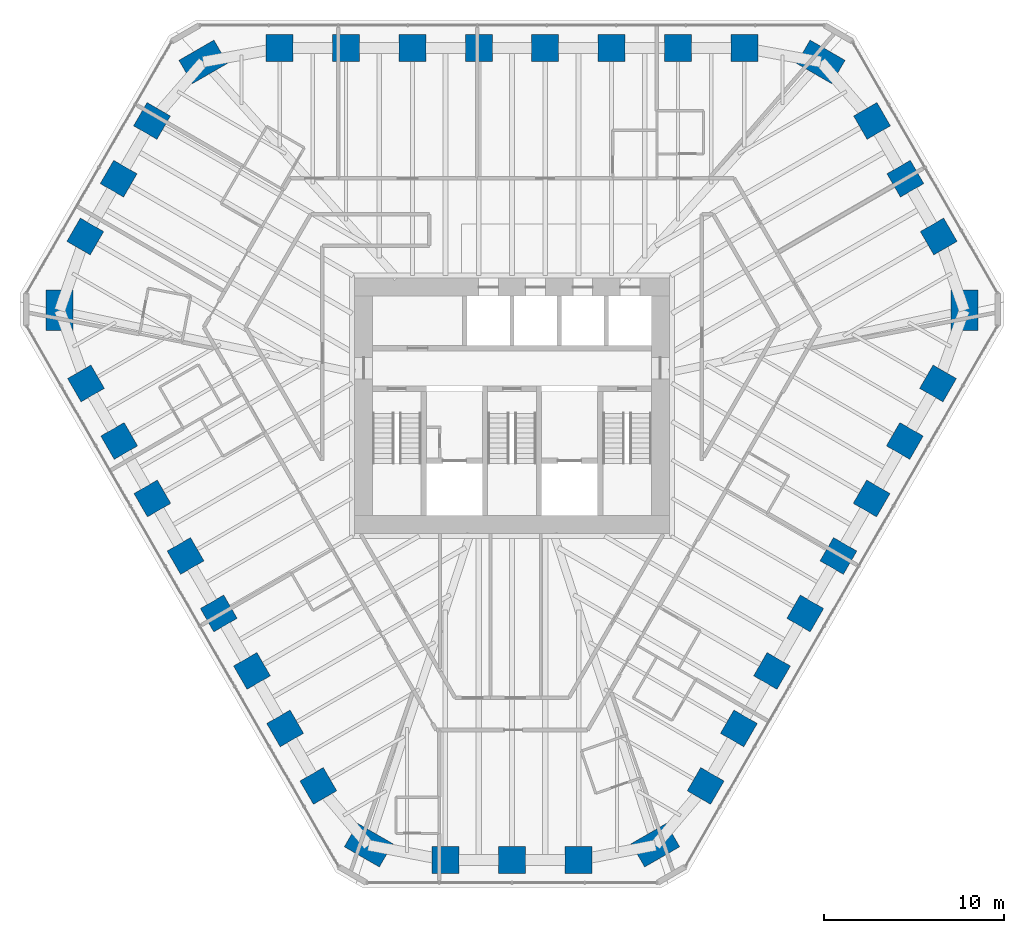
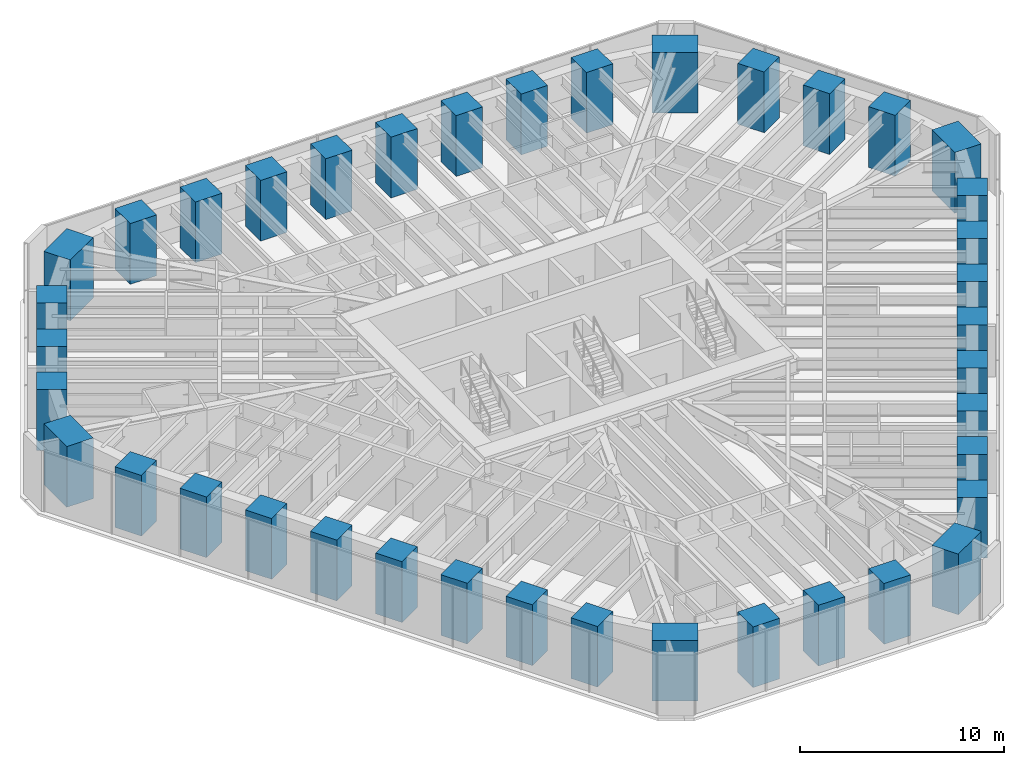
# One storey, part 1 of 16: 39 columns.
"""IFC4 building model written with IfcOpenShell, lengths in metres."""

import ifcopenshell
import ifcopenshell.guid

model = None  # the IFC model being written
_history = None  # IfcOwnerHistory: only IFC2X3 demands one
_inside = {}  # id of a spatial element -> (the spatial element, [elements in it])
_under = {}  # id of a project, library or spatial element -> (it, [spatial elements below it])
_declared = {}  # id of a project -> (the project, [libraries it declares])
_typed = {}  # id of a type object -> (the type object, [elements of that type])
_made_of = {}  # id of a material, layer set ... -> (it, [elements and type objects made of it])


def new_model(schema):
    """Start an empty IFC model of exactly this schema.

    Asked for "IFC4X3", IfcOpenShell would pick the latest addendum, in which some entities
    have other attributes; the version numbers below select the first issue.
    IFC2X3 requires an IfcOwnerHistory on every rooted entity: one is made here for all.
    """
    global model, _history
    if schema == "IFC4X3":
        model = ifcopenshell.file(schema_version=(4, 3, 0, 0))
    else:
        model = ifcopenshell.file(schema=schema)
    _inside.clear()
    _under.clear()
    _declared.clear()
    _typed.clear()
    _made_of.clear()
    _history = None
    if model.schema == "IFC2X3":
        org = make("IfcOrganization", Name="unknown")
        user = make(
            "IfcPersonAndOrganization",
            ThePerson=make("IfcPerson", FamilyName="unknown"),
            TheOrganization=org,
        )
        app = make(
            "IfcApplication",
            ApplicationDeveloper=org,
            Version="unknown",
            ApplicationFullName="unknown",
            ApplicationIdentifier="unknown",
        )
        _history = make(
            "IfcOwnerHistory",
            OwningUser=user,
            OwningApplication=app,
            ChangeAction="ADDED",
            CreationDate=0,
        )
    return model


def make(cls, **values):
    """One entity of the class cls with the attributes given. An attribute that is None is left unset."""
    return model.create_entity(
        cls, **{name: value for name, value in values.items() if value is not None}
    )


def rooted(cls, **values):
    """An entity with a GlobalId (a new one), such as an element, a storey or a relation."""
    return make(cls, GlobalId=ifcopenshell.guid.new(), OwnerHistory=_history, **values)


def si_unit(unit_type, name, prefix=None):
    """IfcSIUnit, for example si_unit("LENGTHUNIT", "METRE", prefix="MILLI")."""
    return make("IfcSIUnit", UnitType=unit_type, Prefix=prefix, Name=name)


def assignment(units):
    """IfcUnitAssignment: the units of a project."""
    return None if units is None else make("IfcUnitAssignment", Units=units)


def point(xyz):
    """IfcCartesianPoint."""
    return None if xyz is None else make("IfcCartesianPoint", Coordinates=xyz)


def direction(xyz):
    """IfcDirection."""
    return None if xyz is None else make("IfcDirection", DirectionRatios=xyz)


def frame(location, z_axis=None, x_axis=None):
    """IfcAxis2Placement3D, a coordinate frame: its origin and axes. An axis left out is left unset."""
    return make(
        "IfcAxis2Placement3D",
        Location=point(location),
        Axis=direction(z_axis),
        RefDirection=direction(x_axis),
    )


def frame_2d(location, x_axis=None):
    """IfcAxis2Placement2D, a coordinate frame in the plane: its origin and x axis."""
    return make(
        "IfcAxis2Placement2D", Location=point(location), RefDirection=direction(x_axis)
    )


def origin():
    """The frame at (0, 0, 0) with its axes left unset."""
    return frame((0.0, 0.0, 0.0))


def origin_2d():
    """The frame at (0, 0) in the plane with its x axis left unset."""
    return frame_2d((0.0, 0.0))


def place(relative_to, where):
    """IfcLocalPlacement: puts the frame where relative to a parent placement (None: the world)."""
    return make(
        "IfcLocalPlacement", PlacementRelTo=relative_to, RelativePlacement=where
    )


def context(
    kind, dimensions, precision=None, world=None, true_north=None, identifier=None
):
    """IfcGeometricRepresentationContext, for example the 3D "Model" context."""
    return make(
        "IfcGeometricRepresentationContext",
        ContextIdentifier=identifier,
        ContextType=kind,
        CoordinateSpaceDimension=dimensions,
        Precision=precision,
        WorldCoordinateSystem=world,
        TrueNorth=true_north,
    )


def subcontext(parent, identifier, kind, view, scale=None):
    """IfcGeometricRepresentationSubContext, for example "Body" below "Model"."""
    return make(
        "IfcGeometricRepresentationSubContext",
        ContextIdentifier=identifier,
        ContextType=kind,
        ParentContext=parent,
        TargetScale=scale,
        TargetView=view,
    )


def project(units=None, contexts=None):
    """IfcProject with its units and contexts."""
    return rooted(
        "IfcProject",
        Name="project",
        RepresentationContexts=contexts,
        UnitsInContext=assignment(units),
    )


def spatial(cls, under=None, at=None, **own):
    """A site, building, storey or space (cls), placed at a placement, below another one or the project."""
    s = rooted(cls, ObjectPlacement=at, **own)
    if under is not None:
        _under.setdefault(under.id(), (under, []))[1].append(s)
    return s


def profile(cls, at=None, kind="AREA", **sizes):
    """A parametric profile (cls). Its sizes go by their IFC names, for example OverallWidth=200.0."""
    return make(cls, ProfileType=kind, Position=at, **sizes)


def rectangle(**sizes):
    """IfcRectangleProfileDef."""
    return profile("IfcRectangleProfileDef", **sizes)


def extrude(swept, where, along, depth):
    """IfcExtrudedAreaSolid: the profile swept, set in the frame where, extruded along a direction by depth."""
    return make(
        "IfcExtrudedAreaSolid",
        SweptArea=swept,
        Position=where,
        ExtrudedDirection=direction(along),
        Depth=depth,
    )


def clip(a, b, op="DIFFERENCE"):
    """IfcBooleanClippingResult: the solid a cut by the half space b."""
    return make(
        "IfcBooleanClippingResult", Operator=op, FirstOperand=a, SecondOperand=b
    )


def halfspace(plane, agree):
    """IfcHalfSpaceSolid: all space on one side of the plane z = 0 of the frame plane."""
    return make(
        "IfcHalfSpaceSolid",
        BaseSurface=make("IfcPlane", Position=plane),
        AgreementFlag=agree,
    )


def shape(context_of_items, identifier, shape_type, items):
    """IfcShapeRepresentation: the items that make up one representation, for example the "Body"."""
    return make(
        "IfcShapeRepresentation",
        ContextOfItems=context_of_items,
        RepresentationIdentifier=identifier,
        RepresentationType=shape_type,
        Items=items,
    )


def material(Name=None, Category=None):
    """IfcMaterial."""
    return make("IfcMaterial", Name=Name, Category=Category)


def material_profile(
    of_material, cross_section, Name=None, Category=None, Priority=None
):
    """IfcMaterialProfile: a cross section and its material."""
    return make(
        "IfcMaterialProfile",
        Name=Name,
        Material=of_material,
        Profile=cross_section,
        Priority=Priority,
        Category=Category,
    )


def profile_set(profiles, Name=None, composite=None):
    """IfcMaterialProfileSet."""
    return make(
        "IfcMaterialProfileSet",
        Name=Name,
        MaterialProfiles=profiles,
        CompositeProfile=composite,
    )


def made_of(thing, what):
    """Note that an element or type object is made of a material, layer set ...; save() writes the relation."""
    if what is not None:
        _made_of.setdefault(what.id(), (what, []))[1].append(thing)
    return thing


def type_object(cls, material=None, **own):
    """A type object (cls), such as IfcWallType, which elements share."""
    return made_of(rooted(cls, **own), material)


def element(
    cls,
    number,
    at=None,
    inside=None,
    cuts=None,
    type_object=None,
    material=None,
    context=None,
    identifier="Body",
    shape_type=None,
    held_by="IfcProductDefinitionShape",
    body=None,
    shapes=None,
    **own,
):
    """One element of the class cls, such as IfcWall. Its Tag is "e" and its number.

    at: its placement. inside: the storey or other place that contains it. cuts: it is an
    opening in that element (IfcRelVoidsElement). A single representation is given by context,
    identifier, shape_type and body (its items); several are given by shapes. held_by: the class
    of the entity that holds the representations. save() writes the other relations.
    """
    e = rooted(cls, Tag="e%d" % number, ObjectPlacement=at, **own)
    if body is not None:
        shapes = [shape(context, identifier, shape_type, body)]
    if shapes is not None:
        e.Representation = make(held_by, Representations=shapes)
    if inside is not None:
        _inside.setdefault(inside.id(), (inside, []))[1].append(e)
    if cuts is not None:
        rooted(
            "IfcRelVoidsElement", RelatingBuildingElement=cuts, RelatedOpeningElement=e
        )
    if type_object is not None:
        _typed.setdefault(type_object.id(), (type_object, []))[1].append(e)
    return made_of(e, material)


def aggregate(whole, parts):
    """IfcRelAggregates: a whole, such as a stair, and the parts it consists of."""
    return rooted("IfcRelAggregates", RelatingObject=whole, RelatedObjects=parts)


def save(model, path):
    """Write the relations noted so far, then the file.

    IfcRelAggregates (storeys below a building ...), IfcRelContainedInSpatialStructure (elements
    in a storey), IfcRelDefinesByType, IfcRelAssociatesMaterial and IfcRelDeclares: one each for
    every whole, place, type object, material and project.
    """
    for whole, parts in _under.values():
        aggregate(whole, parts)
    for where, things in _inside.values():
        rooted(
            "IfcRelContainedInSpatialStructure",
            RelatedElements=things,
            RelatingStructure=where,
        )
    for kind, things in _typed.values():
        rooted("IfcRelDefinesByType", RelatedObjects=things, RelatingType=kind)
    for what, things in _made_of.values():
        rooted("IfcRelAssociatesMaterial", RelatedObjects=things, RelatingMaterial=what)
    for by, libraries in _declared.values():
        rooted("IfcRelDeclares", RelatingContext=by, RelatedDefinitions=libraries)
    model.write(path)


model = new_model("IFC4")

# Units and contexts
model_context = context("Model", 3, precision=1e-05, world=origin(), true_north=direction((0.0, 1.0)))
body_context = subcontext(model_context, "Body", "Model", "MODEL_VIEW")
ifc_project = project(units=[si_unit("LENGTHUNIT", "METRE"), si_unit("AREAUNIT", "SQUARE_METRE"), si_unit("VOLUMEUNIT", "CUBIC_METRE"), si_unit("PLANEANGLEUNIT", "RADIAN"), si_unit("MASSUNIT", "GRAM", prefix="KILO")], contexts=[model_context])

# Site, building, storey
site_placement = place(None, origin())
site = spatial("IfcSite", under=ifc_project, at=site_placement, CompositionType="ELEMENT")
building_placement = place(site_placement, origin())
building = spatial("IfcBuilding", under=site, at=building_placement, Name="Sandreach Pilgrim Tower", CompositionType="ELEMENT")
storey_placement = place(building_placement, frame((0.0, 0.0, 228.800048828125)))
storey = spatial("IfcBuildingStorey", under=building, at=storey_placement, Name="L57", CompositionType="ELEMENT", Elevation=228.800048828125)

# Columns
ifc_material_1 = material(Name="Concrete 10000 psi", Category="concrete")
ifc_material_profile_1 = material_profile(ifc_material_1, rectangle(XDim=1.5, YDim=1.5, at=origin_2d()), Name="RC1500X1500")
ifc_profile_set_1 = profile_set([ifc_material_profile_1], Name="Concrete 10000 psi")
column_type_1 = type_object("IfcColumnType", Name="Tube column RC1500X1500", PredefinedType="COLUMN", material=ifc_profile_set_1)
column_1_placement = place(storey_placement, frame((-12.923828125, 19.900146484375, 0.0), z_axis=(0.0, 0.0, 1.0), x_axis=(0.0, 1.0, 0.0)))
element("IfcColumn", 1, at=column_1_placement, inside=storey, type_object=column_type_1, Name="COL L57 T01", PredefinedType="COLUMN", context=body_context, shape_type="SweptSolid", body=[
    clip(extrude(rectangle(XDim=1.5, YDim=1.5, at=origin_2d()), origin(), (0.0, 0.0, 1.0), 3.732421875), halfspace(frame((0.0, 0.0, 3.639892578125)), False)),
])
column_2_placement = place(storey_placement, frame((-9.231201171875, 19.900146484375, 0.0), z_axis=(0.0, 0.0, 1.0), x_axis=(0.0, 1.0, 0.0)))
element("IfcColumn", 2, at=column_2_placement, inside=storey, type_object=column_type_1, Name="COL L57 T02", PredefinedType="COLUMN", context=body_context, shape_type="SweptSolid", body=[
    clip(extrude(rectangle(XDim=1.5, YDim=1.5, at=origin_2d()), origin(), (0.0, 0.0, 1.0), 3.739990234375), halfspace(frame((0.0, 0.0, 3.639892578125)), False)),
])
column_3_placement = place(storey_placement, frame((-5.538818359375, 19.900146484375, 0.0), z_axis=(0.0, 0.0, 1.0), x_axis=(0.0, 1.0, 0.0)))
element("IfcColumn", 3, at=column_3_placement, inside=storey, type_object=column_type_1, Name="COL L57 T03", PredefinedType="COLUMN", context=body_context, shape_type="SweptSolid", body=[
    clip(extrude(rectangle(XDim=1.5, YDim=1.5, at=origin_2d()), origin(), (0.0, 0.0, 1.0), 3.74755859375), halfspace(frame((0.0, 0.0, 3.639892578125)), False)),
])
for number, where, z_axis, x_axis, name in (
    (4, (-1.84619140625, 19.900146484375, 0.0), (0.0, 0.0, 1.0), (0.0, 1.0, 0.0), "COL L57 T04"),
    (5, (1.84619140625, 19.900146484375, 0.0), (0.0, 0.0, 1.0), (0.0, 1.0, 0.0), "COL L57 T05"),
):
    element("IfcColumn", number, at=place(storey_placement, frame(where, z_axis=z_axis, x_axis=x_axis)), inside=storey, type_object=column_type_1, Name=name, PredefinedType="COLUMN", context=body_context, shape_type="SweptSolid", body=[
        clip(extrude(rectangle(XDim=1.5, YDim=1.5, at=origin_2d()), origin(), (0.0, 0.0, 1.0), 3.755126953125), halfspace(frame((0.0, 0.0, 3.639892578125)), False)),
    ])
column_4_placement = place(storey_placement, frame((5.538818359375, 19.900146484375, 0.0), z_axis=(0.0, 0.0, 1.0), x_axis=(0.0, 1.0, 0.0)))
element("IfcColumn", 6, at=column_4_placement, inside=storey, type_object=column_type_1, Name="COL L57 T06", PredefinedType="COLUMN", context=body_context, shape_type="SweptSolid", body=[
    clip(extrude(rectangle(XDim=1.5, YDim=1.5, at=origin_2d()), origin(), (0.0, 0.0, 1.0), 3.74755859375), halfspace(frame((0.0, 0.0, 3.639892578125)), False)),
])
column_5_placement = place(storey_placement, frame((9.231201171875, 19.900146484375, 0.0), z_axis=(0.0, 0.0, 1.0), x_axis=(0.0, 1.0, 0.0)))
element("IfcColumn", 7, at=column_5_placement, inside=storey, type_object=column_type_1, Name="COL L57 T07", PredefinedType="COLUMN", context=body_context, shape_type="SweptSolid", body=[
    clip(extrude(rectangle(XDim=1.5, YDim=1.5, at=origin_2d()), origin(), (0.0, 0.0, 1.0), 3.739990234375), halfspace(frame((0.0, 0.0, 3.639892578125)), False)),
])
column_6_placement = place(storey_placement, frame((12.923828125, 19.900146484375, 0.0), z_axis=(0.0, 0.0, 1.0), x_axis=(0.0, 1.0, 0.0)))
element("IfcColumn", 8, at=column_6_placement, inside=storey, type_object=column_type_1, Name="COL L57 T08", PredefinedType="COLUMN", context=body_context, shape_type="SweptSolid", body=[
    clip(extrude(rectangle(XDim=1.5, YDim=1.5, at=origin_2d()), origin(), (0.0, 0.0, 1.0), 3.732421875), halfspace(frame((0.0, 0.0, 3.639892578125)), False)),
])
column_7_placement = place(storey_placement, frame((20.025146484375, 15.845947265625, 0.0), z_axis=(0.0, 0.0, 1.0), x_axis=(0.866025403784, 0.5, 0.0)))
element("IfcColumn", 9, at=column_7_placement, inside=storey, type_object=column_type_1, Name="COL L57 T10", PredefinedType="COLUMN", context=body_context, shape_type="SweptSolid", body=[
    clip(extrude(rectangle(XDim=1.5, YDim=1.5, at=origin_2d()), origin(), (0.0, 0.0, 1.0), 3.7412109375), halfspace(frame((0.0, 0.0, 3.639892578125)), False)),
])
column_8_placement = place(storey_placement, frame((21.88037109375, 12.632568359375, 0.0), z_axis=(0.0, 0.0, 1.0), x_axis=(0.866025403784, 0.5, 0.0)))
element("IfcColumn", 10, at=column_8_placement, inside=storey, type_object=column_type_1, Name="COL L57 T11", PredefinedType="COLUMN", context=body_context, shape_type="SweptSolid", body=[
    clip(extrude(rectangle(XDim=1.5, YDim=1.5, at=origin_2d()), origin(), (0.0, 0.0, 1.0), 3.748779296875), halfspace(frame((0.0, 0.0, 3.639892578125)), False)),
])
column_9_placement = place(storey_placement, frame((23.7353515625, 9.419189453125, 0.0), z_axis=(0.0, 0.0, 1.0), x_axis=(0.866025403784, 0.5, 0.0)))
element("IfcColumn", 11, at=column_9_placement, inside=storey, type_object=column_type_1, Name="COL L57 T12", PredefinedType="COLUMN", context=body_context, shape_type="SweptSolid", body=[
    clip(extrude(rectangle(XDim=1.5, YDim=1.5, at=origin_2d()), origin(), (0.0, 0.0, 1.0), 3.7412109375), halfspace(frame((0.0, 0.0, 3.639892578125)), False)),
])
column_10_placement = place(storey_placement, frame((23.69580078125, 1.2421875, 0.0), z_axis=(0.0, 0.0, 1.0), x_axis=(0.866025403784, -0.5, 0.0)))
element("IfcColumn", 12, at=column_10_placement, inside=storey, type_object=column_type_1, Name="COL L57 T14", PredefinedType="COLUMN", context=body_context, shape_type="SweptSolid", body=[
    clip(extrude(rectangle(XDim=1.5, YDim=1.5, at=origin_2d()), origin(), (0.0, 0.0, 1.0), 3.732421875), halfspace(frame((0.0, 0.0, 3.639892578125)), False)),
])
column_11_placement = place(storey_placement, frame((21.849609375, -1.95556640625, 0.0), z_axis=(0.0, 0.0, 1.0), x_axis=(0.866025403784, -0.5, 0.0)))
element("IfcColumn", 13, at=column_11_placement, inside=storey, type_object=column_type_1, Name="COL L57 T15", PredefinedType="COLUMN", context=body_context, shape_type="SweptSolid", body=[
    clip(extrude(rectangle(XDim=1.5, YDim=1.5, at=origin_2d()), origin(), (0.0, 0.0, 1.0), 3.739990234375), halfspace(frame((0.0, 0.0, 3.639892578125)), False)),
])
column_12_placement = place(storey_placement, frame((20.00341796875, -5.1533203125, 0.0), z_axis=(0.0, 0.0, 1.0), x_axis=(0.866025403784, -0.5, 0.0)))
element("IfcColumn", 14, at=column_12_placement, inside=storey, type_object=column_type_1, Name="COL L57 T16", PredefinedType="COLUMN", context=body_context, shape_type="SweptSolid", body=[
    clip(extrude(rectangle(XDim=1.5, YDim=1.5, at=origin_2d()), origin(), (0.0, 0.0, 1.0), 3.74755859375), halfspace(frame((0.0, 0.0, 3.639892578125)), False)),
])
for number, where, z_axis, x_axis, name in (
    (15, (18.1572265625, -8.35107421875, 0.0), (0.0, 0.0, 1.0), (0.866025403784, -0.5, 0.0), "COL L57 T17"),
    (16, (16.310791015625, -11.548828125, 0.0), (0.0, 0.0, 1.0), (0.866025403784, -0.5, 0.0), "COL L57 T18"),
):
    element("IfcColumn", number, at=place(storey_placement, frame(where, z_axis=z_axis, x_axis=x_axis)), inside=storey, type_object=column_type_1, Name=name, PredefinedType="COLUMN", context=body_context, shape_type="SweptSolid", body=[
        clip(extrude(rectangle(XDim=1.5, YDim=1.5, at=origin_2d()), origin(), (0.0, 0.0, 1.0), 3.755126953125), halfspace(frame((0.0, 0.0, 3.639892578125)), False)),
    ])
column_13_placement = place(storey_placement, frame((14.464599609375, -14.746826171875, 0.0), z_axis=(0.0, 0.0, 1.0), x_axis=(0.866025403784, -0.5, 0.0)))
element("IfcColumn", 17, at=column_13_placement, inside=storey, type_object=column_type_1, Name="COL L57 T19", PredefinedType="COLUMN", context=body_context, shape_type="SweptSolid", body=[
    clip(extrude(rectangle(XDim=1.5, YDim=1.5, at=origin_2d()), origin(), (0.0, 0.0, 1.0), 3.74755859375), halfspace(frame((0.0, 0.0, 3.639892578125)), False)),
])
column_14_placement = place(storey_placement, frame((12.618408203125, -17.944580078125, 0.0), z_axis=(0.0, 0.0, 1.0), x_axis=(0.866025403784, -0.5, 0.0)))
element("IfcColumn", 18, at=column_14_placement, inside=storey, type_object=column_type_1, Name="COL L57 T20", PredefinedType="COLUMN", context=body_context, shape_type="SweptSolid", body=[
    clip(extrude(rectangle(XDim=1.5, YDim=1.5, at=origin_2d()), origin(), (0.0, 0.0, 1.0), 3.739990234375), halfspace(frame((0.0, 0.0, 3.639892578125)), False)),
])
column_15_placement = place(storey_placement, frame((10.772216796875, -21.142333984375, 0.0), z_axis=(0.0, 0.0, 1.0), x_axis=(0.866025403784, -0.5, 0.0)))
element("IfcColumn", 19, at=column_15_placement, inside=storey, type_object=column_type_1, Name="COL L57 T21", PredefinedType="COLUMN", context=body_context, shape_type="SweptSolid", body=[
    clip(extrude(rectangle(XDim=1.5, YDim=1.5, at=origin_2d()), origin(), (0.0, 0.0, 1.0), 3.732421875), halfspace(frame((0.0, 0.0, 3.639892578125)), False)),
])
column_16_placement = place(storey_placement, frame((3.71044921875, -25.26513671875, 0.0), z_axis=(0.0, 0.0, 1.0), x_axis=(0.0, -1.0, 0.0)))
element("IfcColumn", 20, at=column_16_placement, inside=storey, type_object=column_type_1, Name="COL L57 T23", PredefinedType="COLUMN", context=body_context, shape_type="SweptSolid", body=[
    clip(extrude(rectangle(XDim=1.5, YDim=1.5, at=origin_2d()), origin(), (0.0, 0.0, 1.0), 3.7412109375), halfspace(frame((0.0, 0.0, 3.639892578125)), False)),
])
column_17_placement = place(storey_placement, frame((0.0, -25.26513671875, 0.0), z_axis=(0.0, 0.0, 1.0), x_axis=(0.0, -1.0, 0.0)))
element("IfcColumn", 21, at=column_17_placement, inside=storey, type_object=column_type_1, Name="COL L57 T24", PredefinedType="COLUMN", context=body_context, shape_type="SweptSolid", body=[
    clip(extrude(rectangle(XDim=1.5, YDim=1.5, at=origin_2d()), origin(), (0.0, 0.0, 1.0), 3.748779296875), halfspace(frame((0.0, 0.0, 3.639892578125)), False)),
])
column_18_placement = place(storey_placement, frame((-3.71044921875, -25.26513671875, 0.0), z_axis=(0.0, 0.0, 1.0), x_axis=(0.0, -1.0, 0.0)))
element("IfcColumn", 22, at=column_18_placement, inside=storey, type_object=column_type_1, Name="COL L57 T25", PredefinedType="COLUMN", context=body_context, shape_type="SweptSolid", body=[
    clip(extrude(rectangle(XDim=1.5, YDim=1.5, at=origin_2d()), origin(), (0.0, 0.0, 1.0), 3.7412109375), halfspace(frame((0.0, 0.0, 3.639892578125)), False)),
])
column_19_placement = place(storey_placement, frame((-10.772216796875, -21.142333984375, 0.0), z_axis=(0.0, 0.0, 1.0), x_axis=(-0.866025403784, -0.5, 0.0)))
element("IfcColumn", 23, at=column_19_placement, inside=storey, type_object=column_type_1, Name="COL L57 T27", PredefinedType="COLUMN", context=body_context, shape_type="SweptSolid", body=[
    clip(extrude(rectangle(XDim=1.5, YDim=1.5, at=origin_2d()), origin(), (0.0, 0.0, 1.0), 3.732421875), halfspace(frame((0.0, 0.0, 3.639892578125)), False)),
])
column_20_placement = place(storey_placement, frame((-12.618408203125, -17.944580078125, 0.0), z_axis=(0.0, 0.0, 1.0), x_axis=(-0.866025403784, -0.5, 0.0)))
element("IfcColumn", 24, at=column_20_placement, inside=storey, type_object=column_type_1, Name="COL L57 T28", PredefinedType="COLUMN", context=body_context, shape_type="SweptSolid", body=[
    clip(extrude(rectangle(XDim=1.5, YDim=1.5, at=origin_2d()), origin(), (0.0, 0.0, 1.0), 3.739990234375), halfspace(frame((0.0, 0.0, 3.639892578125)), False)),
])
column_21_placement = place(storey_placement, frame((-14.464599609375, -14.746826171875, 0.0), z_axis=(0.0, 0.0, 1.0), x_axis=(-0.866025403784, -0.5, 0.0)))
element("IfcColumn", 25, at=column_21_placement, inside=storey, type_object=column_type_1, Name="COL L57 T29", PredefinedType="COLUMN", context=body_context, shape_type="SweptSolid", body=[
    clip(extrude(rectangle(XDim=1.5, YDim=1.5, at=origin_2d()), origin(), (0.0, 0.0, 1.0), 3.74755859375), halfspace(frame((0.0, 0.0, 3.639892578125)), False)),
])
for number, where, z_axis, x_axis, name in (
    (26, (-16.310791015625, -11.548828125, 0.0), (0.0, 0.0, 1.0), (-0.866025403784, -0.5, 0.0), "COL L57 T30"),
    (27, (-18.1572265625, -8.35107421875, 0.0), (0.0, 0.0, 1.0), (-0.866025403784, -0.5, 0.0), "COL L57 T31"),
):
    element("IfcColumn", number, at=place(storey_placement, frame(where, z_axis=z_axis, x_axis=x_axis)), inside=storey, type_object=column_type_1, Name=name, PredefinedType="COLUMN", context=body_context, shape_type="SweptSolid", body=[
        clip(extrude(rectangle(XDim=1.5, YDim=1.5, at=origin_2d()), origin(), (0.0, 0.0, 1.0), 3.755126953125), halfspace(frame((0.0, 0.0, 3.639892578125)), False)),
    ])
column_22_placement = place(storey_placement, frame((-20.00341796875, -5.1533203125, 0.0), z_axis=(0.0, 0.0, 1.0), x_axis=(-0.866025403784, -0.5, 0.0)))
element("IfcColumn", 28, at=column_22_placement, inside=storey, type_object=column_type_1, Name="COL L57 T32", PredefinedType="COLUMN", context=body_context, shape_type="SweptSolid", body=[
    clip(extrude(rectangle(XDim=1.5, YDim=1.5, at=origin_2d()), origin(), (0.0, 0.0, 1.0), 3.74755859375), halfspace(frame((0.0, 0.0, 3.639892578125)), False)),
])
column_23_placement = place(storey_placement, frame((-21.849609375, -1.95556640625, 0.0), z_axis=(0.0, 0.0, 1.0), x_axis=(-0.866025403784, -0.5, 0.0)))
element("IfcColumn", 29, at=column_23_placement, inside=storey, type_object=column_type_1, Name="COL L57 T33", PredefinedType="COLUMN", context=body_context, shape_type="SweptSolid", body=[
    clip(extrude(rectangle(XDim=1.5, YDim=1.5, at=origin_2d()), origin(), (0.0, 0.0, 1.0), 3.739990234375), halfspace(frame((0.0, 0.0, 3.639892578125)), False)),
])
column_24_placement = place(storey_placement, frame((-23.69580078125, 1.2421875, 0.0), z_axis=(0.0, 0.0, 1.0), x_axis=(-0.866025403784, -0.5, 0.0)))
element("IfcColumn", 30, at=column_24_placement, inside=storey, type_object=column_type_1, Name="COL L57 T34", PredefinedType="COLUMN", context=body_context, shape_type="SweptSolid", body=[
    clip(extrude(rectangle(XDim=1.5, YDim=1.5, at=origin_2d()), origin(), (0.0, 0.0, 1.0), 3.732421875), halfspace(frame((0.0, 0.0, 3.639892578125)), False)),
])
column_25_placement = place(storey_placement, frame((-23.7353515625, 9.419189453125, 0.0), z_axis=(0.0, 0.0, 1.0), x_axis=(-0.866025403784, 0.5, 0.0)))
element("IfcColumn", 31, at=column_25_placement, inside=storey, type_object=column_type_1, Name="COL L57 T36", PredefinedType="COLUMN", context=body_context, shape_type="SweptSolid", body=[
    clip(extrude(rectangle(XDim=1.5, YDim=1.5, at=origin_2d()), origin(), (0.0, 0.0, 1.0), 3.7412109375), halfspace(frame((0.0, 0.0, 3.639892578125)), False)),
])
column_26_placement = place(storey_placement, frame((-21.88037109375, 12.632568359375, 0.0), z_axis=(0.0, 0.0, 1.0), x_axis=(-0.866025403784, 0.5, 0.0)))
element("IfcColumn", 32, at=column_26_placement, inside=storey, type_object=column_type_1, Name="COL L57 T37", PredefinedType="COLUMN", context=body_context, shape_type="SweptSolid", body=[
    clip(extrude(rectangle(XDim=1.5, YDim=1.5, at=origin_2d()), origin(), (0.0, 0.0, 1.0), 3.748779296875), halfspace(frame((0.0, 0.0, 3.639892578125)), False)),
])
column_27_placement = place(storey_placement, frame((-20.025146484375, 15.845947265625, 0.0), z_axis=(0.0, 0.0, 1.0), x_axis=(-0.866025403784, 0.5, 0.0)))
element("IfcColumn", 33, at=column_27_placement, inside=storey, type_object=column_type_1, Name="COL L57 T38", PredefinedType="COLUMN", context=body_context, shape_type="SweptSolid", body=[
    clip(extrude(rectangle(XDim=1.5, YDim=1.5, at=origin_2d()), origin(), (0.0, 0.0, 1.0), 3.7412109375), halfspace(frame((0.0, 0.0, 3.639892578125)), False)),
])
ifc_material_2 = material(Name="Concrete 10000 psi", Category="concrete")
ifc_material_profile_2 = material_profile(ifc_material_2, rectangle(XDim=1.5, YDim=2.25, at=origin_2d()), Name="RC1500X2250")
ifc_profile_set_2 = profile_set([ifc_material_profile_2], Name="Concrete 10000 psi")
column_type_2 = type_object("IfcColumnType", Name="Tube corner pier RC1500X2250", PredefinedType="COLUMN", material=ifc_profile_set_2)
for number, where, z_axis, x_axis, name in (
    (34, (17.177978515625, 19.130615234375, 0.0), (0.0, 0.0, 1.0), (0.5, 0.866025403784, 0.0), "COL L57 T09"),
    (35, (25.156494140625, 5.311279296875, 0.0), (0.0, 0.0, 1.0), (1.0, 0.0, 0.0), "COL L57 T13"),
    (36, (7.978515625, -24.44189453125, 0.0), (0.0, 0.0, 1.0), (0.5, -0.866025403784, 0.0), "COL L57 T22"),
    (37, (-7.978515625, -24.44189453125, 0.0), (0.0, 0.0, 1.0), (-0.5, -0.866025403784, 0.0), "COL L57 T26"),
    (38, (-25.156494140625, 5.311279296875, 0.0), (0.0, 0.0, 1.0), (-1.0, 0.0, 0.0), "COL L57 T35"),
    (39, (-17.177978515625, 19.130615234375, 0.0), (0.0, 0.0, 1.0), (-0.5, 0.866025403784, 0.0), "COL L57 T39"),
):
    element("IfcColumn", number, at=place(storey_placement, frame(where, z_axis=z_axis, x_axis=x_axis)), inside=storey, type_object=column_type_2, Name=name, PredefinedType="COLUMN", context=body_context, shape_type="SweptSolid", body=[
        clip(extrude(rectangle(XDim=1.5, YDim=2.25, at=origin_2d()), origin(), (0.0, 0.0, 1.0), 3.731201171875), halfspace(frame((0.0, 0.0, 3.639892578125)), False)),
    ])

save(model, "model.ifc")
